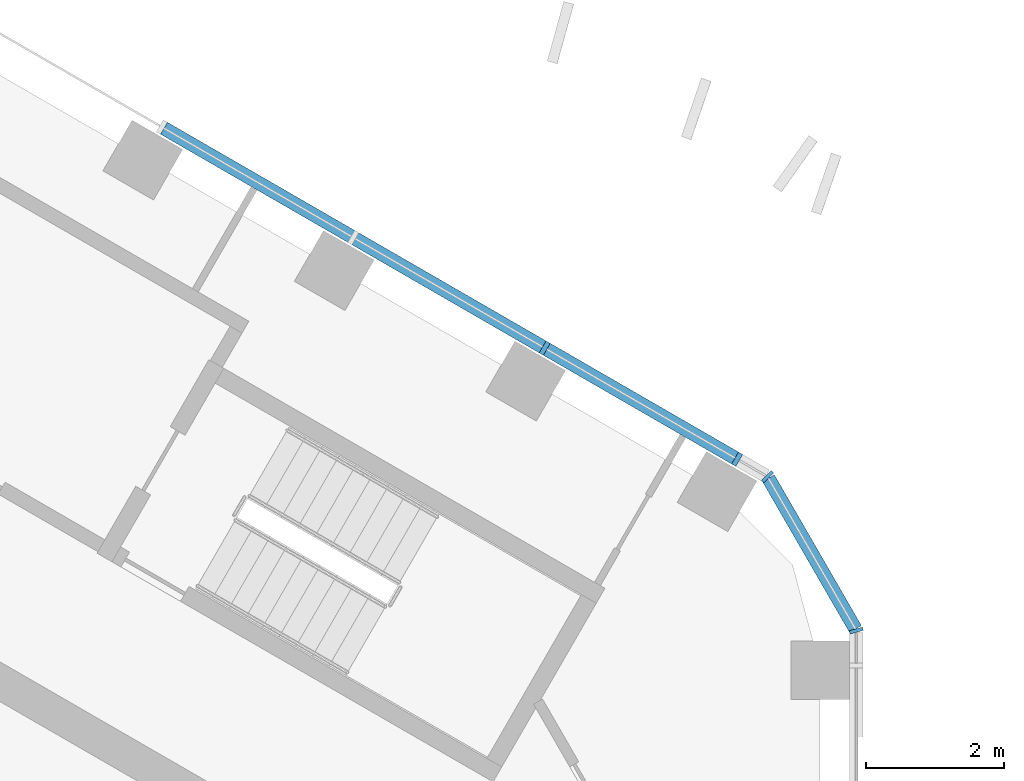
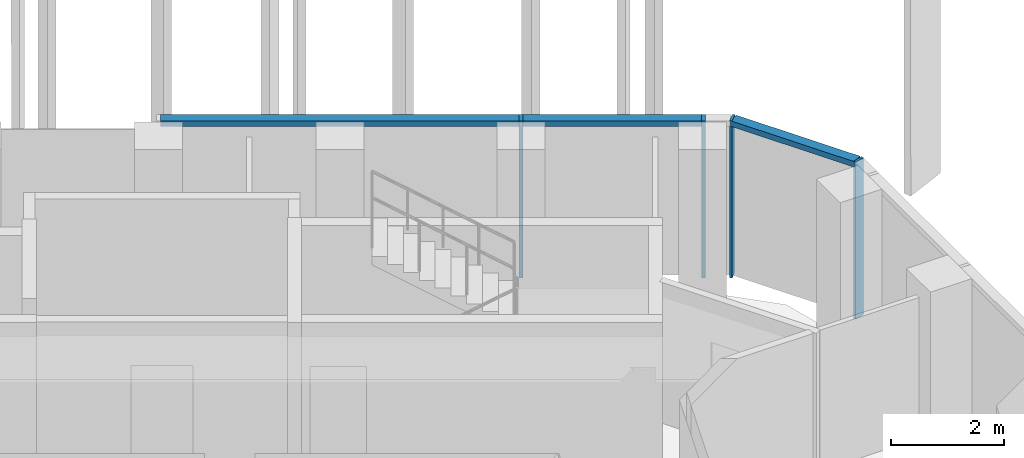
# One storey, part 6 of 18: 6 members, 2 elements without a shape of their own.
"""IFC4 building model written with IfcOpenShell, lengths in metres."""

from ifc_helpers import new_model, si_unit, direction, frame, origin, origin_2d, place, context, subcontext, project, spatial, rectangle, extrude, material, layer, layer_set, material_profile, profile_set, type_object, element, aggregate, save


model = new_model("IFC4")

# Units and contexts
model_context = context("Model", 3, precision=1e-05, world=origin(), true_north=direction((0.0, 1.0)))
body_context = subcontext(model_context, "Body", "Model", "MODEL_VIEW")
ifc_project = project(units=[si_unit("LENGTHUNIT", "METRE"), si_unit("AREAUNIT", "SQUARE_METRE"), si_unit("VOLUMEUNIT", "CUBIC_METRE"), si_unit("PLANEANGLEUNIT", "RADIAN"), si_unit("MASSUNIT", "GRAM", prefix="KILO")], contexts=[model_context])

# Site, building, storey
site_placement = place(None, origin())
site = spatial("IfcSite", under=ifc_project, at=site_placement, CompositionType="ELEMENT")
building_placement = place(site_placement, origin())
building = spatial("IfcBuilding", under=site, at=building_placement, Name="Ayvan Gate Tower", CompositionType="ELEMENT")
storey_placement = place(building_placement, frame((0.0, 0.0, 218.89990234375)))
storey = spatial("IfcBuildingStorey", under=building, at=storey_placement, Name="L58", CompositionType="ELEMENT", Elevation=218.89990234375)

# Curtain wall, members
ifc_material = material(Name="Bronze anodised aluminium", Category="aluminium")
ifc_layer_1 = layer(ifc_material, 0.199951171875)
ifc_layer_set_1 = layer_set([ifc_layer_1], Name="Bronze anodised aluminium")
curtain_wall_type_1 = type_object("IfcCurtainWallType", Name="Stick curtain wall CW-2", PredefinedType="NOTDEFINED", material=ifc_layer_set_1)
curtain_wall_1_placement = place(storey_placement, origin())
curtain_wall_1 = element("IfcCurtainWall", 1, at=curtain_wall_1_placement, inside=storey, type_object=curtain_wall_type_1, Name="Stick curtain wall CW-2 L58", PredefinedType="NOTDEFINED")
ifc_material_profile_1 = material_profile(ifc_material, rectangle(XDim=0.199951171875, YDim=0.070068359375, at=origin_2d()), Name="Stick curtain wall CW-2 mullion 200 x 70")
ifc_profile_set_1 = profile_set([ifc_material_profile_1], Name="Bronze anodised aluminium")
member_type_1 = type_object("IfcMemberType", Name="Stick curtain wall CW-2 mullion 200 x 70", PredefinedType="MULLION", material=ifc_profile_set_1)
member_1_placement = place(storey_placement, frame((15.679443359375, 11.0537109375, 0.0), z_axis=(0.0, 0.0, 1.0), x_axis=(0.5, 0.866025403784, 0.0)))
member_1 = element("IfcMember", 2, at=member_1_placement, type_object=member_type_1, Name="CW-2 mullion 1", PredefinedType="MULLION", context=body_context, shape_type="SweptSolid", body=[
    extrude(rectangle(XDim=0.199951171875, YDim=0.070068359375, at=origin_2d()), origin(), (0.0, 0.0, 1.0), 3.400146484375),
])
member_2_placement = place(storey_placement, frame((12.88134765625, 12.669189453125, 0.0), z_axis=(0.0, 0.0, 1.0), x_axis=(0.5, 0.866025403784, 0.0)))
member_2 = element("IfcMember", 3, at=member_2_placement, type_object=member_type_1, Name="CW-2 mullion 2", PredefinedType="MULLION", context=body_context, shape_type="SweptSolid", body=[
    extrude(rectangle(XDim=0.199951171875, YDim=0.070068359375, at=origin_2d()), origin(), (0.0, 0.0, 1.0), 3.400146484375),
])
ifc_material_profile_2 = material_profile(ifc_material, rectangle(XDim=0.199951171875, YDim=0.1201171875, at=origin_2d()), Name="Stick curtain wall CW-2 transom 200 x 120")
ifc_profile_set_2 = profile_set([ifc_material_profile_2], Name="Bronze anodised aluminium")
member_type_2 = type_object("IfcMemberType", Name="Stick curtain wall CW-2 transom 200 x 120", PredefinedType="USERDEFINED", material=ifc_profile_set_2)
member_3_placement = place(storey_placement, frame((15.679443359375, 11.0537109375, 3.340087890625), z_axis=(-0.866020828478, 0.50000792458, 0.0), x_axis=(-0.50000792458, -0.866020828478, 0.0)))
member_3 = element("IfcMember", 4, at=member_3_placement, type_object=member_type_2, Name="CW-2 transom 1", ObjectType="TRANSOM", PredefinedType="USERDEFINED", context=body_context, shape_type="SweptSolid", body=[
    extrude(rectangle(XDim=0.199951171875, YDim=0.1201171875, at=origin_2d()), origin(), (0.0, 0.0, 1.0), 9.623779296875),
])
aggregate(curtain_wall_1, [member_1, member_2, member_3])

ifc_layer_2 = layer(ifc_material, 0.199951171875)
ifc_layer_set_2 = layer_set([ifc_layer_2], Name="Bronze anodised aluminium")
curtain_wall_type_2 = type_object("IfcCurtainWallType", Name="Stick curtain wall CW-6", PredefinedType="NOTDEFINED", material=ifc_layer_set_2)
curtain_wall_2_placement = place(storey_placement, origin())
curtain_wall_2 = element("IfcCurtainWall", 5, at=curtain_wall_2_placement, inside=storey, type_object=curtain_wall_type_2, Name="Stick curtain wall CW-6 L58", PredefinedType="NOTDEFINED")
ifc_material_profile_3 = material_profile(ifc_material, rectangle(XDim=0.199951171875, YDim=0.050048828125, at=origin_2d()), Name="Stick curtain wall CW-6 mullion 200 x 50")
ifc_profile_set_3 = profile_set([ifc_material_profile_3], Name="Bronze anodised aluminium")
member_type_3 = type_object("IfcMemberType", Name="Stick curtain wall CW-6 mullion 200 x 50", PredefinedType="MULLION", material=ifc_profile_set_3)
member_4_placement = place(storey_placement, frame((17.41259765625, 8.56201171875, 0.0), z_axis=(0.0, 0.0, 1.0), x_axis=(0.965925826289, 0.258819045103, 0.0)))
member_4 = element("IfcMember", 6, at=member_4_placement, type_object=member_type_3, Name="CW-6 mullion 2", PredefinedType="MULLION", context=body_context, shape_type="SweptSolid", body=[
    extrude(rectangle(XDim=0.199951171875, YDim=0.050048828125, at=origin_2d()), origin(), (0.0, 0.0, 1.0), 3.400146484375),
])
member_5_placement = place(storey_placement, frame((16.12109375, 10.798583984375, 0.0), z_axis=(0.0, 0.0, 1.0), x_axis=(0.707106781187, 0.707106781187, 0.0)))
member_5 = element("IfcMember", 7, at=member_5_placement, type_object=member_type_3, Name="CW-6 mullion 3", PredefinedType="MULLION", context=body_context, shape_type="SweptSolid", body=[
    extrude(rectangle(XDim=0.199951171875, YDim=0.050048828125, at=origin_2d()), origin(), (0.0, 0.0, 1.0), 3.400146484375),
])
ifc_material_profile_4 = material_profile(ifc_material, rectangle(XDim=0.199951171875, YDim=0.1201171875, at=origin_2d()), Name="Stick curtain wall CW-6 transom 200 x 120")
ifc_profile_set_4 = profile_set([ifc_material_profile_4], Name="Bronze anodised aluminium")
member_type_4 = type_object("IfcMemberType", Name="Stick curtain wall CW-6 transom 200 x 120", PredefinedType="USERDEFINED", material=ifc_profile_set_4)
member_6_placement = place(storey_placement, frame((17.39990234375, 8.583740234375, 3.340087890625), z_axis=(-0.499933856714, 0.866063588261, 0.0), x_axis=(-0.866063588261, -0.499933856714, 0.0)))
member_6 = element("IfcMember", 8, at=member_6_placement, type_object=member_type_4, Name="CW-6 transom 2", ObjectType="TRANSOM", PredefinedType="USERDEFINED", context=body_context, shape_type="SweptSolid", body=[
    extrude(rectangle(XDim=0.199951171875, YDim=0.1201171875, at=origin_2d()), origin(), (0.0, 0.0, 1.0), 2.532470703125),
])
aggregate(curtain_wall_2, [member_4, member_5, member_6])

save(model, "model.ifc")
